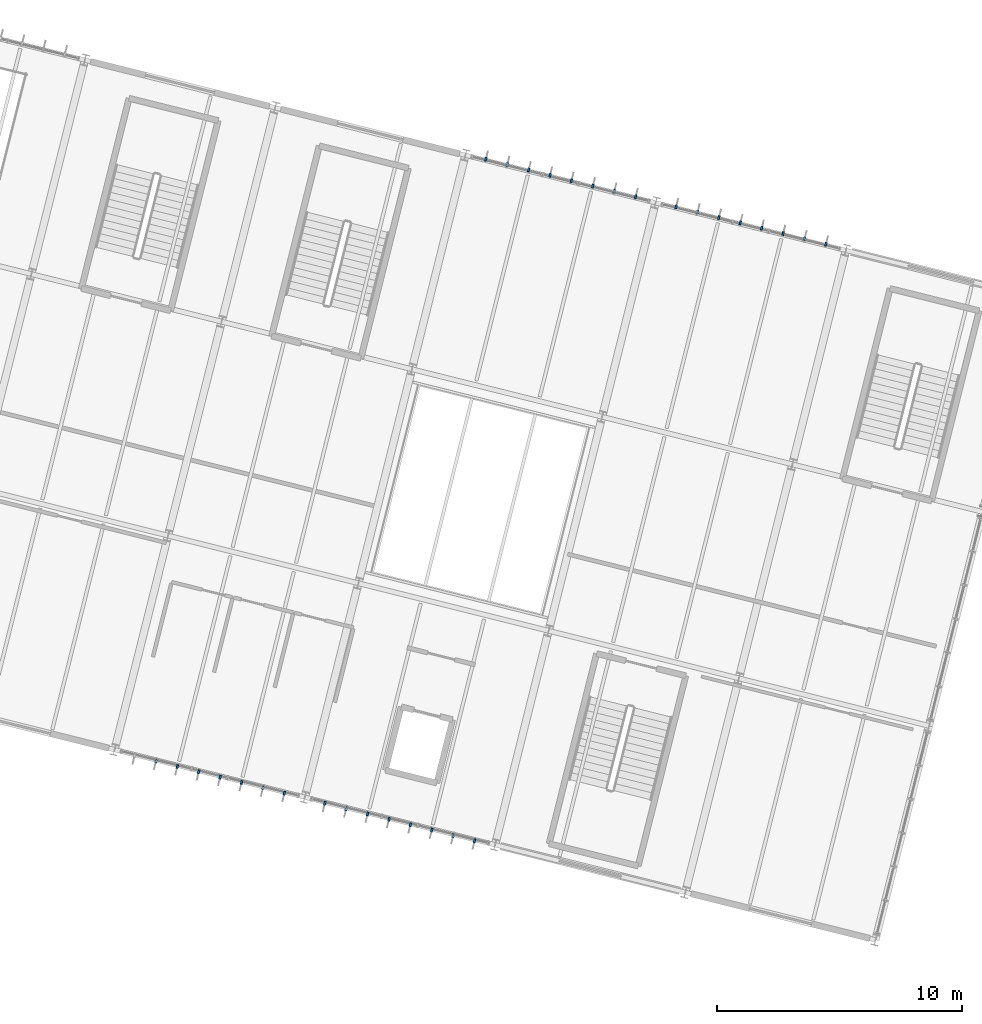
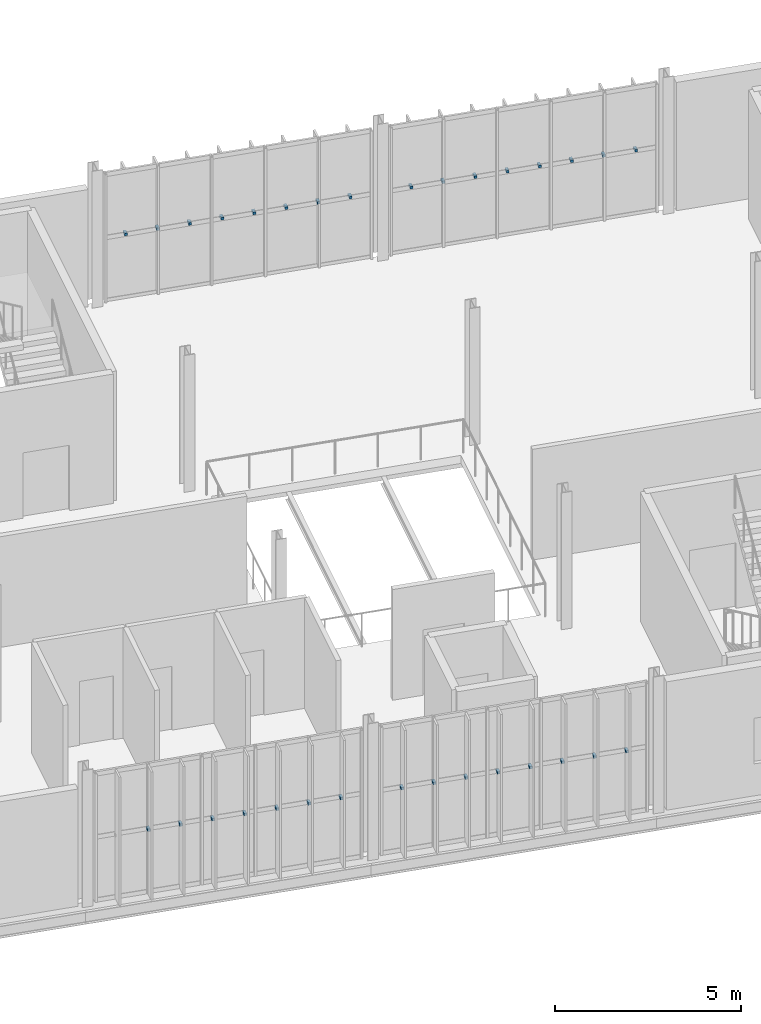
# One storey, part 140 of 152: 31 discrete accessories.
"""IFC4 building model written with IfcOpenShell, lengths in metres."""

from ifc_helpers import new_model, si_unit, derived_unit, direction, frame, origin, origin_2d, place, context, subcontext, project, spatial, rectangle, extrude, material, type_object, element, save


model = new_model("IFC4")

# Units and contexts
model_context = context("Model", 3, precision=1e-05, world=origin(), true_north=direction((0.0, 1.0)))
body_context = subcontext(model_context, "Body", "Model", "MODEL_VIEW")
ifc_project = project(units=[si_unit("LENGTHUNIT", "METRE"), si_unit("AREAUNIT", "SQUARE_METRE"), si_unit("VOLUMEUNIT", "CUBIC_METRE"), si_unit("PLANEANGLEUNIT", "RADIAN"), si_unit("MASSUNIT", "GRAM", prefix="KILO"), si_unit("THERMODYNAMICTEMPERATUREUNIT", "KELVIN"), si_unit("TIMEUNIT", "SECOND"), derived_unit("THERMALTRANSMITTANCEUNIT", [(si_unit("MASSUNIT", "GRAM", prefix="KILO"), 1), (si_unit("THERMODYNAMICTEMPERATUREUNIT", "KELVIN"), -1), (si_unit("TIMEUNIT", "SECOND"), -3)])], contexts=[model_context])

# Site, building, storey
site_placement = place(None, origin())
site = spatial("IfcSite", under=ifc_project, at=site_placement, CompositionType="ELEMENT")
building_placement = place(site_placement, origin())
building = spatial("IfcBuilding", under=site, at=building_placement, Name="Cambertide Market Hall", CompositionType="ELEMENT")
storey_placement = place(building_placement, frame((0.0, 0.0, 5.39990234375)))
storey = spatial("IfcBuildingStorey", under=building, at=storey_placement, Name="L02", CompositionType="ELEMENT", Elevation=5.39990234375)

# Discrete accessories
ifc_material = material(Name="Stainless Steel Grade 316", Category="metal")
discrete_accessory_type = type_object("IfcDiscreteAccessoryType", Name="Stainless Fin Outrigger Tie Bracket", PredefinedType="BRACKET", material=ifc_material)
for number, where, z_axis, x_axis, name in (
    (1, (145.971435546875, 90.4658203125, 2.070068359375), (0.0, 0.0, 1.0), (-0.970142531436, 0.242535499875, 0.0), "CW-V4S-L02-5 Fin Tie Bracket 1"),
    (2, (145.09814453125, 90.684326171875, 2.070068359375), (0.0, 0.0, 1.0), (-0.970142531436, 0.242535499875, 0.0), "CW-V4S-L02-5 Fin Tie Bracket 2"),
    (3, (144.22509765625, 90.902587890625, 2.070068359375), (0.0, 0.0, 1.0), (-0.970142531436, 0.242535499875, 0.0), "CW-V4S-L02-5 Fin Tie Bracket 3"),
    (4, (143.35205078125, 91.120849609375, 2.070068359375), (0.0, 0.0, 1.0), (-0.970142531436, 0.242535499875, 0.0), "CW-V4S-L02-5 Fin Tie Bracket 4"),
    (5, (142.478759765625, 91.339111328125, 2.070068359375), (0.0, 0.0, 1.0), (-0.970142531436, 0.242535499875, 0.0), "CW-V4S-L02-5 Fin Tie Bracket 5"),
    (6, (141.605712890625, 91.557373046875, 2.070068359375), (0.0, 0.0, 1.0), (-0.970142531436, 0.242535499875, 0.0), "CW-V4S-L02-5 Fin Tie Bracket 6"),
    (7, (140.732666015625, 91.775634765625, 2.070068359375), (0.0, 0.0, 1.0), (-0.970142531436, 0.242535499875, 0.0), "CW-V4S-L02-5 Fin Tie Bracket 7"),
    (8, (154.1884765625, 116.324951171875, 2.070068359375), (0.0, 0.0, 1.0), (0.970142500145, -0.242535625038, 0.0), "CW-V4N-L02-6 Fin Tie Bracket 1"),
    (9, (155.0615234375, 116.106689453125, 2.070068359375), (0.0, 0.0, 1.0), (0.970142500145, -0.242535625038, 0.0), "CW-V4N-L02-6 Fin Tie Bracket 2"),
    (10, (155.934814453125, 115.888427734375, 2.070068359375), (0.0, 0.0, 1.0), (0.970142500145, -0.242535625038, 0.0), "CW-V4N-L02-6 Fin Tie Bracket 3"),
    (11, (156.807861328125, 115.670166015625, 2.070068359375), (0.0, 0.0, 1.0), (0.970142500145, -0.242535625038, 0.0), "CW-V4N-L02-6 Fin Tie Bracket 4"),
    (12, (157.680908203125, 115.451904296875, 2.070068359375), (0.0, 0.0, 1.0), (0.970142500145, -0.242535625038, 0.0), "CW-V4N-L02-6 Fin Tie Bracket 5"),
    (13, (158.55419921875, 115.233642578125, 2.070068359375), (0.0, 0.0, 1.0), (0.970142500145, -0.242535625038, 0.0), "CW-V4N-L02-6 Fin Tie Bracket 6"),
    (14, (159.42724609375, 115.015380859375, 2.070068359375), (0.0, 0.0, 1.0), (0.970142500145, -0.242535625038, 0.0), "CW-V4N-L02-6 Fin Tie Bracket 7"),
    (15, (160.30029296875, 114.797119140625, 2.070068359375), (0.0, 0.0, 1.0), (0.970142500145, -0.242535625038, 0.0), "CW-V4N-L02-6 Fin Tie Bracket 8"),
    (16, (153.732421875, 88.525634765625, 2.070068359375), (0.0, 0.0, 1.0), (-0.970142531436, 0.242535499875, 0.0), "CW-V4S-L02-6 Fin Tie Bracket 1"),
    (17, (152.859375, 88.743896484375, 2.070068359375), (0.0, 0.0, 1.0), (-0.970142531436, 0.242535499875, 0.0), "CW-V4S-L02-6 Fin Tie Bracket 2"),
    (18, (151.986328125, 88.962158203125, 2.070068359375), (0.0, 0.0, 1.0), (-0.970142531436, 0.242535499875, 0.0), "CW-V4S-L02-6 Fin Tie Bracket 3"),
    (19, (151.113037109375, 89.180419921875, 2.070068359375), (0.0, 0.0, 1.0), (-0.970142531436, 0.242535499875, 0.0), "CW-V4S-L02-6 Fin Tie Bracket 4"),
    (20, (150.239990234375, 89.398681640625, 2.070068359375), (0.0, 0.0, 1.0), (-0.970142531436, 0.242535499875, 0.0), "CW-V4S-L02-6 Fin Tie Bracket 5"),
    (21, (149.366943359375, 89.616943359375, 2.070068359375), (0.0, 0.0, 1.0), (-0.970142531436, 0.242535499875, 0.0), "CW-V4S-L02-6 Fin Tie Bracket 6"),
    (22, (148.49365234375, 89.83544921875, 2.070068359375), (0.0, 0.0, 1.0), (-0.970142531436, 0.242535499875, 0.0), "CW-V4S-L02-6 Fin Tie Bracket 7"),
    (23, (147.62060546875, 90.0537109375, 2.070068359375), (0.0, 0.0, 1.0), (-0.970142531436, 0.242535499875, 0.0), "CW-V4S-L02-6 Fin Tie Bracket 8"),
    (24, (161.94970703125, 114.384765625, 2.070068359375), (0.0, 0.0, 1.0), (0.970142500145, -0.242535625038, 0.0), "CW-V4N-L02-7 Fin Tie Bracket 1"),
    (25, (162.82275390625, 114.16650390625, 2.070068359375), (0.0, 0.0, 1.0), (0.970142500145, -0.242535625038, 0.0), "CW-V4N-L02-7 Fin Tie Bracket 2"),
    (26, (163.69580078125, 113.9482421875, 2.070068359375), (0.0, 0.0, 1.0), (0.970142500145, -0.242535625038, 0.0), "CW-V4N-L02-7 Fin Tie Bracket 3"),
    (27, (164.569091796875, 113.72998046875, 2.070068359375), (0.0, 0.0, 1.0), (0.970142500145, -0.242535625038, 0.0), "CW-V4N-L02-7 Fin Tie Bracket 4"),
    (28, (165.442138671875, 113.51171875, 2.070068359375), (0.0, 0.0, 1.0), (0.970142500145, -0.242535625038, 0.0), "CW-V4N-L02-7 Fin Tie Bracket 5"),
    (29, (166.315185546875, 113.29345703125, 2.070068359375), (0.0, 0.0, 1.0), (0.970142500145, -0.242535625038, 0.0), "CW-V4N-L02-7 Fin Tie Bracket 6"),
    (30, (167.1884765625, 113.0751953125, 2.070068359375), (0.0, 0.0, 1.0), (0.970142500145, -0.242535625038, 0.0), "CW-V4N-L02-7 Fin Tie Bracket 7"),
    (31, (168.0615234375, 112.85693359375, 2.070068359375), (0.0, 0.0, 1.0), (0.970142500145, -0.242535625038, 0.0), "CW-V4N-L02-7 Fin Tie Bracket 8"),
):
    element("IfcDiscreteAccessory", number, at=place(storey_placement, frame(where, z_axis=z_axis, x_axis=x_axis)), inside=storey, type_object=discrete_accessory_type, Name=name, PredefinedType="BRACKET", context=body_context, shape_type="SweptSolid", body=[
        extrude(rectangle(XDim=0.080078125, YDim=0.159912109375, at=origin_2d()), origin(), (0.0, 0.0, 1.0), 0.080078125),
    ])

save(model, "model.ifc")
